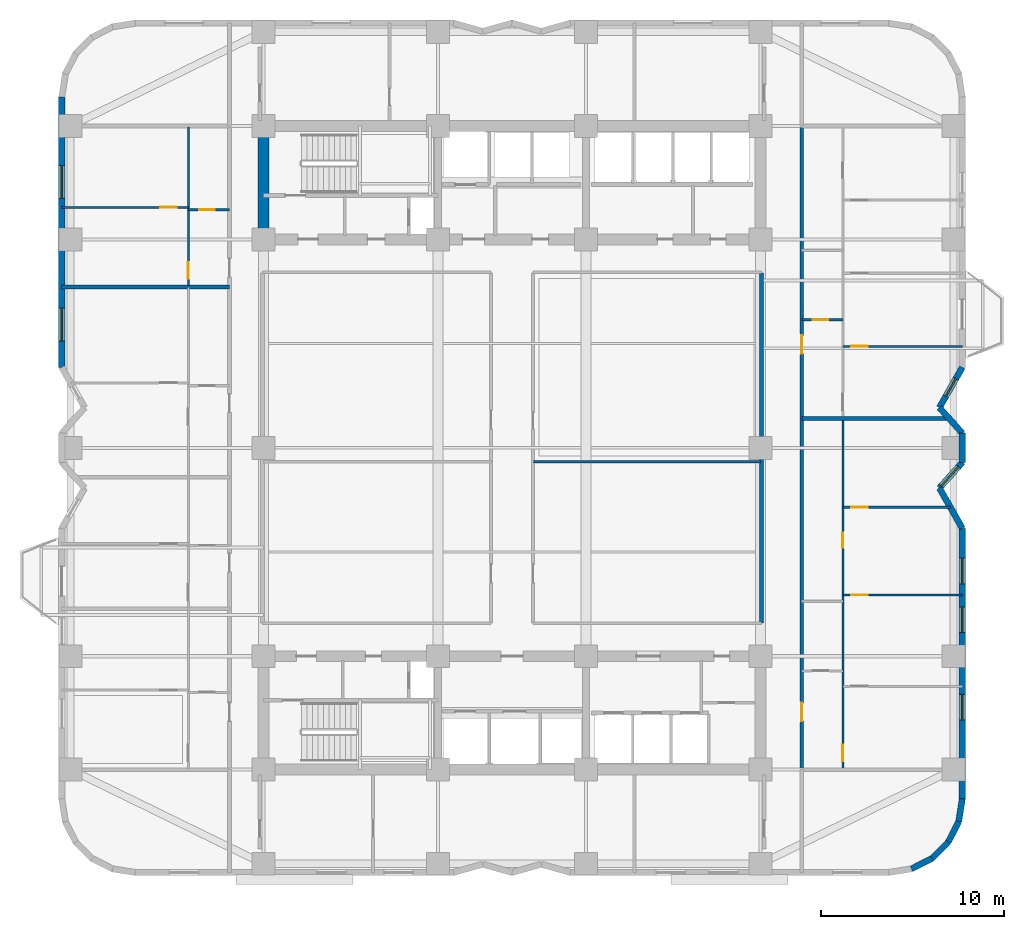
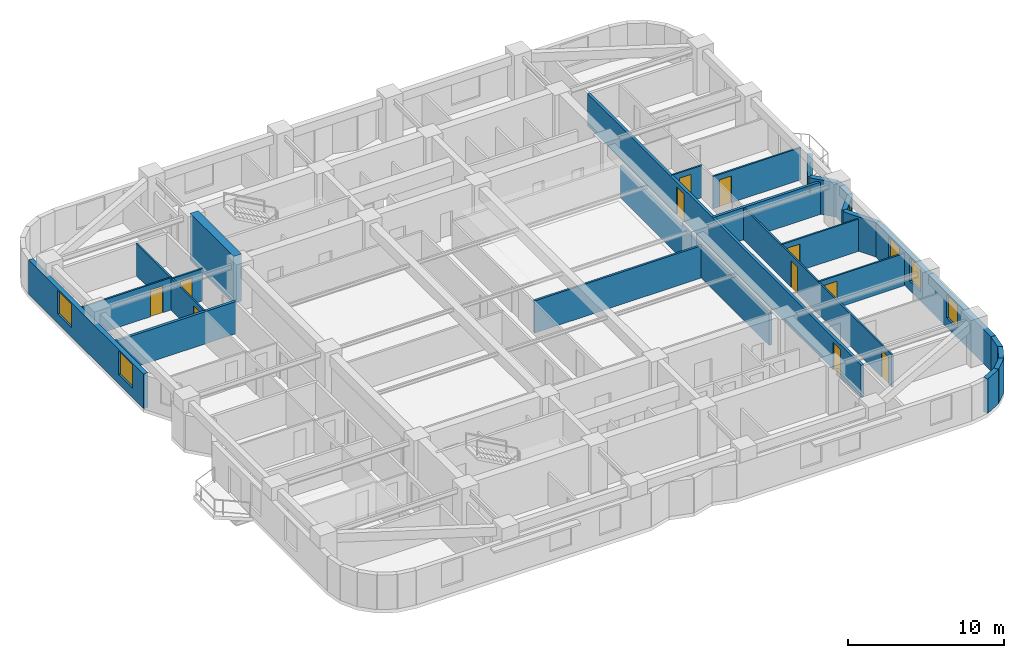
# One storey, part 5 of 9: 25 walls, 11 doors, 7 windows, 18 openings.
"""IFC4 building model written with IfcOpenShell, lengths in metres."""

from ifc_helpers import new_model, si_unit, direction, frame, frame_2d, origin, place, context, subcontext, project, spatial, rectangle, extrude, material, layer, layer_set, type_object, element, fill, save


model = new_model("IFC4")

# Units and contexts
model_context = context("Model", 3, precision=1e-05, world=origin(), true_north=direction((0.0, 1.0)))
body_context = subcontext(model_context, "Body", "Model", "MODEL_VIEW")
ifc_project = project(units=[si_unit("LENGTHUNIT", "METRE"), si_unit("AREAUNIT", "SQUARE_METRE"), si_unit("VOLUMEUNIT", "CUBIC_METRE"), si_unit("PLANEANGLEUNIT", "RADIAN"), si_unit("MASSUNIT", "GRAM", prefix="KILO")], contexts=[model_context])

# Site, building, storey
site_placement = place(None, origin())
site = spatial("IfcSite", under=ifc_project, at=site_placement, CompositionType="ELEMENT")
building_placement = place(site_placement, origin())
building = spatial("IfcBuilding", under=site, at=building_placement, Name="Svetorya Sky Lyceum", CompositionType="ELEMENT")
storey_placement = place(building_placement, frame((0.0, 0.0, 47.300048828125)))
storey = spatial("IfcBuildingStorey", under=building, at=storey_placement, Name="L11", CompositionType="ELEMENT", Elevation=47.300048828125)

# Walls
ifc_material_1 = material(Name="Concrete C60/75", Category="concrete")
ifc_layer_1 = layer(ifc_material_1, 0.60009765625)
ifc_layer_set_1 = layer_set([ifc_layer_1], Name="Concrete C60/75")
wall_type_1 = type_object("IfcWallType", Name="WL-CORE-600", PredefinedType="SHEAR", material=ifc_layer_set_1)
wall_1_placement = place(storey_placement, frame((25.60009765625, 39.89990234375, 0.0), z_axis=(0.0, 0.0, 1.0), x_axis=(0.0, 1.0, 0.0)))
element("IfcWall", 1, at=wall_1_placement, inside=storey, type_object=wall_type_1, Name="L11 NC West Core Shear Wall", PredefinedType="SHEAR", context=body_context, shape_type="SweptSolid", body=[
    extrude(rectangle(XDim=5.60009765625, YDim=0.60009765625, at=frame_2d((2.800048828125, 0.0))), origin(), (0.0, 0.0, 1.0), 3.699951171875),
])
ifc_material_2 = material(Name="Putilovo limestone rainscreen on autoclaved cellular masonry", Category="masonry")
ifc_layer_2 = layer(ifc_material_2, 0.340087890625)
ifc_layer_set_2 = layer_set([ifc_layer_2], Name="Putilovo limestone rainscreen on autoclaved cellular masonry")
wall_type_2 = type_object("IfcWallType", Name="WL-EXT-340", PredefinedType="SOLIDWALL", material=ifc_layer_set_2)
for number, where, z_axis, x_axis, name in (
    (2, (61.04541015625, 5.167236328125, 0.0), (0.0, 0.0, 1.0), (0.890953769915, 0.454094020963, 0.0), "L11 Limestone Exterior Wall 13M"),
    (3, (62.168701171875, 5.73974609375, 0.0), (0.0, 0.0, 1.0), (0.707203598708, 0.707009950407, 0.0), "L11 Limestone Exterior Wall 14M"),
):
    element("IfcWall", number, at=place(storey_placement, frame(where, z_axis=z_axis, x_axis=x_axis)), inside=storey, type_object=wall_type_2, Name=name, PredefinedType="SOLIDWALL", context=body_context, shape_type="SweptSolid", body=[
        extrude(rectangle(XDim=1.2607421875, YDim=0.340087890625, at=frame_2d((0.63037109375, 0.0))), origin(), (0.0, 0.0, 1.0), 2.699951171875),
    ])
for number, where, z_axis, x_axis, name in (
    (4, (63.060302734375, 6.631103515625, 0.0), (0.0, 0.0, 1.0), (0.454015689056, 0.890993689142, 0.0), "L11 Limestone Exterior Wall 15M"),
    (5, (63.6328125, 7.754638671875, 0.0), (0.0, 0.0, 1.0), (0.15644975923, 0.987685918112, 0.0), "L11 Limestone Exterior Wall 16M"),
):
    element("IfcWall", number, at=place(storey_placement, frame(where, z_axis=z_axis, x_axis=x_axis)), inside=storey, type_object=wall_type_2, Name=name, PredefinedType="SOLIDWALL", context=body_context, shape_type="SweptSolid", body=[
        extrude(rectangle(XDim=1.260986328125, YDim=0.340087890625, at=frame_2d((0.63037109375, 0.0))), origin(), (0.0, 0.0, 1.0), 2.699951171875),
    ])

# Wall, openings, windows
wall_2_placement = place(storey_placement, frame((63.830078125, 9.0, 0.0), z_axis=(0.0, 0.0, 1.0), x_axis=(0.0, 1.0, 0.0)))
wall_2 = element("IfcWall", 6, at=wall_2_placement, inside=storey, type_object=wall_type_2, Name="L11 Limestone Exterior Wall 17M", PredefinedType="SOLIDWALL", context=body_context, shape_type="SweptSolid", body=[
    extrude(rectangle(XDim=14.800048828125, YDim=0.340087890625, at=frame_2d((7.39990234375, 0.0))), origin(), (0.0, 0.0, 1.0), 2.699951171875),
])
opening_1_placement = place(wall_2_placement, frame((4.3125, 0.0, 0.72998046875)))
opening_1 = element("IfcOpeningElement", 7, at=opening_1_placement, cuts=wall_2, Name="Opening W-R2", PredefinedType="OPENING", context=body_context, shape_type="SweptSolid", body=[
    extrude(rectangle(XDim=1.39990234375, YDim=1.85009765625, at=frame_2d((0.699951171875, 0.925048828125))), frame((0.0, 0.179931640625, 0.0), z_axis=(0.0, -1.0, 0.0), x_axis=(1.0, 0.0, 0.0)), (0.0, 0.0, 1.0), 0.360107421875),
])
opening_2_placement = place(wall_2_placement, frame((9.08740234375, 0.0, 0.72998046875)))
opening_2 = element("IfcOpeningElement", 8, at=opening_2_placement, cuts=wall_2, Name="Opening W-R2", PredefinedType="OPENING", context=body_context, shape_type="SweptSolid", body=[
    extrude(rectangle(XDim=1.39990234375, YDim=1.85009765625, at=frame_2d((0.699951171875, 0.925048828125))), frame((0.0, 0.179931640625, 0.0), z_axis=(0.0, -1.0, 0.0), x_axis=(1.0, 0.0, 0.0)), (0.0, 0.0, 1.0), 0.360107421875),
])
opening_3_placement = place(wall_2_placement, frame((11.762451171875, 0.0, 0.72998046875)))
opening_3 = element("IfcOpeningElement", 9, at=opening_3_placement, cuts=wall_2, Name="Opening W-R2", PredefinedType="OPENING", context=body_context, shape_type="SweptSolid", body=[
    extrude(rectangle(XDim=1.39990234375, YDim=1.85009765625, at=frame_2d((0.699951171875, 0.925048828125))), frame((0.0, 0.179931640625, 0.0), z_axis=(0.0, -1.0, 0.0), x_axis=(1.0, 0.0, 0.0)), (0.0, 0.0, 1.0), 0.360107421875),
])
ifc_material_3 = material(Name="Thermally broken aluminium frame with triple low-E glazing", Category="aluminium")
window_type_1 = type_object("IfcWindowType", Name="WN-RES-140", PartitioningType="SINGLE_PANEL", PredefinedType="WINDOW", material=ifc_material_3)
window_1_placement = place(opening_1_placement, origin())
window_1 = element("IfcWindow", 10, at=window_1_placement, inside=storey, type_object=window_type_1, Name="L11 Facade Window W-R2.17M.1", OverallHeight=1.85009765625, OverallWidth=1.39990234375, PartitioningType="SINGLE_PANEL", PredefinedType="WINDOW", context=body_context, shape_type="SweptSolid", body=[
    extrude(rectangle(XDim=1.39990234375, YDim=1.85009765625, at=frame_2d((0.699951171875, 0.925048828125))), frame((0.0, 0.030029296875, 0.0), z_axis=(0.0, -1.0, 0.0), x_axis=(1.0, 0.0, 0.0)), (0.0, 0.0, 1.0), 0.06005859375),
])
fill(opening_1, window_1)
window_2_placement = place(opening_2_placement, origin())
window_2 = element("IfcWindow", 11, at=window_2_placement, inside=storey, type_object=window_type_1, Name="L11 Facade Window W-R2.17M.2", OverallHeight=1.85009765625, OverallWidth=1.39990234375, PartitioningType="SINGLE_PANEL", PredefinedType="WINDOW", context=body_context, shape_type="SweptSolid", body=[
    extrude(rectangle(XDim=1.39990234375, YDim=1.85009765625, at=frame_2d((0.699951171875, 0.925048828125))), frame((0.0, 0.030029296875, 0.0), z_axis=(0.0, -1.0, 0.0), x_axis=(1.0, 0.0, 0.0)), (0.0, 0.0, 1.0), 0.06005859375),
])
fill(opening_2, window_2)
window_3_placement = place(opening_3_placement, origin())
window_3 = element("IfcWindow", 12, at=window_3_placement, inside=storey, type_object=window_type_1, Name="L11 Facade Window W-R2.17M.3", OverallHeight=1.85009765625, OverallWidth=1.39990234375, PartitioningType="SINGLE_PANEL", PredefinedType="WINDOW", context=body_context, shape_type="SweptSolid", body=[
    extrude(rectangle(XDim=1.39990234375, YDim=1.85009765625, at=frame_2d((0.699951171875, 0.925048828125))), frame((0.0, 0.030029296875, 0.0), z_axis=(0.0, -1.0, 0.0), x_axis=(1.0, 0.0, 0.0)), (0.0, 0.0, 1.0), 0.06005859375),
])
fill(opening_3, window_3)

# Wall
wall_3_placement = place(storey_placement, frame((63.830078125, 23.800048828125, 0.0), z_axis=(0.0, 0.0, 1.0), x_axis=(-0.494017696272, 0.869451847873, 0.0)))
element("IfcWall", 13, at=wall_3_placement, inside=storey, type_object=wall_type_2, Name="L11 Limestone Exterior Wall 18M", PredefinedType="SOLIDWALL", context=body_context, shape_type="SweptSolid", body=[
    extrude(rectangle(XDim=2.5302734375, YDim=0.340087890625, at=frame_2d((1.26513671875, 0.0))), origin(), (0.0, 0.0, 1.0), 2.699951171875),
])

# Wall, opening, window
wall_4_placement = place(storey_placement, frame((62.580078125, 26.0, 0.0), z_axis=(0.0, 0.0, 1.0), x_axis=(0.666041619974, 0.74591457987, 0.0)))
wall_4 = element("IfcWall", 14, at=wall_4_placement, inside=storey, type_object=wall_type_2, Name="L11 Limestone Exterior Wall 19M", PredefinedType="SOLIDWALL", context=body_context, shape_type="SweptSolid", body=[
    extrude(rectangle(XDim=1.876708984375, YDim=0.340087890625, at=frame_2d((0.9384765625, 0.0))), origin(), (0.0, 0.0, 1.0), 2.699951171875),
])
opening_4_placement = place(wall_4_placement, frame((0.159912109375, 0.0, 0.68994140625)))
opening_4 = element("IfcOpeningElement", 15, at=opening_4_placement, cuts=wall_4, Name="Opening W-R2", PredefinedType="OPENING", context=body_context, shape_type="SweptSolid", body=[
    extrude(rectangle(XDim=1.39990234375, YDim=1.85009765625, at=frame_2d((0.699951171875, 0.925048828125))), frame((0.0, 0.179931640625, 0.0), z_axis=(0.0, -1.0, 0.0), x_axis=(1.0, 0.0, 0.0)), (0.0, 0.0, 1.0), 0.360107421875),
])
window_4_placement = place(opening_4_placement, origin())
window_4 = element("IfcWindow", 16, at=window_4_placement, inside=storey, type_object=window_type_1, Name="L11 Facade Window W-R2.19M.1", OverallHeight=1.85009765625, OverallWidth=1.39990234375, PartitioningType="SINGLE_PANEL", PredefinedType="WINDOW", context=body_context, shape_type="SweptSolid", body=[
    extrude(rectangle(XDim=1.39990234375, YDim=1.85009765625, at=frame_2d((0.699951171875, 0.925048828125))), frame((0.0, 0.030029296875, 0.0), z_axis=(0.0, -1.0, 0.0), x_axis=(1.0, 0.0, 0.0)), (0.0, 0.0, 1.0), 0.06005859375),
])
fill(opening_4, window_4)

# Walls
wall_5_placement = place(storey_placement, frame((63.830078125, 27.39990234375, 0.0), z_axis=(0.0, 0.0, 1.0), x_axis=(0.0, 1.0, 0.0)))
element("IfcWall", 17, at=wall_5_placement, inside=storey, type_object=wall_type_2, Name="L11 Limestone Exterior Wall 20M", PredefinedType="SOLIDWALL", context=body_context, shape_type="SweptSolid", body=[
    extrude(rectangle(XDim=1.60009765625, YDim=0.340087890625, at=frame_2d((0.800048828125, 0.0))), origin(), (0.0, 0.0, 1.0), 2.699951171875),
])
wall_6_placement = place(storey_placement, frame((63.830078125, 29.0, 0.0), z_axis=(0.0, 0.0, 1.0), x_axis=(-0.666041619974, 0.74591457987, 0.0)))
element("IfcWall", 18, at=wall_6_placement, inside=storey, type_object=wall_type_2, Name="L11 Limestone Exterior Wall 21M", PredefinedType="SOLIDWALL", context=body_context, shape_type="SweptSolid", body=[
    extrude(rectangle(XDim=1.876708984375, YDim=0.340087890625, at=frame_2d((0.9384765625, 0.0))), origin(), (0.0, 0.0, 1.0), 2.699951171875),
])

# Wall, opening, window
wall_7_placement = place(storey_placement, frame((62.580078125, 30.39990234375, 0.0), z_axis=(0.0, 0.0, 1.0), x_axis=(0.493976255291, 0.869475393101, 0.0)))
wall_7 = element("IfcWall", 19, at=wall_7_placement, inside=storey, type_object=wall_type_2, Name="L11 Limestone Exterior Wall 22M", PredefinedType="SOLIDWALL", context=body_context, shape_type="SweptSolid", body=[
    extrude(rectangle(XDim=2.530517578125, YDim=0.340087890625, at=frame_2d((1.26513671875, 0.0))), origin(), (0.0, 0.0, 1.0), 2.699951171875),
])
opening_5_placement = place(wall_7_placement, frame((0.715087890625, 0.0, 0.889892578125)))
opening_5 = element("IfcOpeningElement", 20, at=opening_5_placement, cuts=wall_7, Name="Opening W-R3", PredefinedType="OPENING", context=body_context, shape_type="SweptSolid", body=[
    extrude(rectangle(XDim=1.10009765625, YDim=1.64990234375, at=frame_2d((0.550048828125, 0.824951171875))), frame((0.0, 0.179931640625, 0.0), z_axis=(0.0, -1.0, 0.0), x_axis=(1.0, 0.0, 0.0)), (0.0, 0.0, 1.0), 0.360107421875),
])
window_type_2 = type_object("IfcWindowType", Name="WN-RES-110", PartitioningType="SINGLE_PANEL", PredefinedType="WINDOW", material=ifc_material_3)
window_5_placement = place(opening_5_placement, origin())
window_5 = element("IfcWindow", 21, at=window_5_placement, inside=storey, type_object=window_type_2, Name="L11 Facade Window W-R3.22M.1", OverallHeight=1.64990234375, OverallWidth=1.10009765625, PartitioningType="SINGLE_PANEL", PredefinedType="WINDOW", context=body_context, shape_type="SweptSolid", body=[
    extrude(rectangle(XDim=1.10009765625, YDim=1.64990234375, at=frame_2d((0.550048828125, 0.824951171875))), frame((0.0, 0.030029296875, 0.0), z_axis=(0.0, -1.0, 0.0), x_axis=(1.0, 0.0, 0.0)), (0.0, 0.0, 1.0), 0.06005859375),
])
fill(opening_5, window_5)

# Wall, openings, windows
wall_8_placement = place(storey_placement, frame((14.570068359375, 47.39990234375, 0.0), z_axis=(0.0, 0.0, 1.0), x_axis=(0.0, -1.0, 0.0)))
wall_8 = element("IfcWall", 22, at=wall_8_placement, inside=storey, type_object=wall_type_2, Name="L11 Limestone Exterior Wall 40M", PredefinedType="SOLIDWALL", context=body_context, shape_type="SweptSolid", body=[
    extrude(rectangle(XDim=14.7998046875, YDim=0.340087890625, at=frame_2d((7.39990234375, 0.0))), origin(), (0.0, 0.0, 1.0), 2.699951171875),
])
opening_6_placement = place(wall_8_placement, frame((3.762451171875, 0.0, 0.72998046875)))
opening_6 = element("IfcOpeningElement", 23, at=opening_6_placement, cuts=wall_8, Name="Opening W-R1", PredefinedType="OPENING", context=body_context, shape_type="SweptSolid", body=[
    extrude(rectangle(XDim=1.800048828125, YDim=1.85009765625, at=frame_2d((0.89990234375, 0.925048828125))), frame((0.0, 0.179931640625, 0.0), z_axis=(0.0, -1.0, 0.0), x_axis=(1.0, 0.0, 0.0)), (0.0, 0.0, 1.0), 0.360107421875),
])
opening_7_placement = place(wall_8_placement, frame((11.5625, 0.0, 0.72998046875)))
opening_7 = element("IfcOpeningElement", 24, at=opening_7_placement, cuts=wall_8, Name="Opening W-R1", PredefinedType="OPENING", context=body_context, shape_type="SweptSolid", body=[
    extrude(rectangle(XDim=1.800048828125, YDim=1.85009765625, at=frame_2d((0.89990234375, 0.925048828125))), frame((0.0, 0.179931640625, 0.0), z_axis=(0.0, -1.0, 0.0), x_axis=(1.0, 0.0, 0.0)), (0.0, 0.0, 1.0), 0.360107421875),
])
window_type_3 = type_object("IfcWindowType", Name="WN-RES-180", PartitioningType="DOUBLE_PANEL_VERTICAL", PredefinedType="WINDOW", material=ifc_material_3)
window_6_placement = place(opening_6_placement, origin())
window_6 = element("IfcWindow", 25, at=window_6_placement, inside=storey, type_object=window_type_3, Name="L11 Facade Window W-R1.40M.1", OverallHeight=1.85009765625, OverallWidth=1.800048828125, PartitioningType="SINGLE_PANEL", PredefinedType="WINDOW", context=body_context, shape_type="SweptSolid", body=[
    extrude(rectangle(XDim=1.800048828125, YDim=1.85009765625, at=frame_2d((0.89990234375, 0.925048828125))), frame((0.0, 0.030029296875, 0.0), z_axis=(0.0, -1.0, 0.0), x_axis=(1.0, 0.0, 0.0)), (0.0, 0.0, 1.0), 0.06005859375),
])
fill(opening_6, window_6)
window_7_placement = place(opening_7_placement, origin())
window_7 = element("IfcWindow", 26, at=window_7_placement, inside=storey, type_object=window_type_3, Name="L11 Facade Window W-R1.40M.2", OverallHeight=1.85009765625, OverallWidth=1.800048828125, PartitioningType="SINGLE_PANEL", PredefinedType="WINDOW", context=body_context, shape_type="SweptSolid", body=[
    extrude(rectangle(XDim=1.800048828125, YDim=1.85009765625, at=frame_2d((0.89990234375, 0.925048828125))), frame((0.0, 0.030029296875, 0.0), z_axis=(0.0, -1.0, 0.0), x_axis=(1.0, 0.0, 0.0)), (0.0, 0.0, 1.0), 0.06005859375),
])
fill(opening_7, window_7)

# Wall, opening, door
ifc_material_4 = material(Name="Twin-stud galvanized framing with double fireboard", Category="gypsum")
ifc_layer_3 = layer(ifc_material_4, 0.1201171875)
ifc_layer_set_3 = layer_set([ifc_layer_3], Name="Twin-stud galvanized framing with double fireboard")
wall_type_3 = type_object("IfcWallType", Name="WL-PART-120", PredefinedType="PARTITIONING", material=ifc_layer_set_3)
wall_9_placement = place(storey_placement, frame((21.5, 41.219970703125, 0.0), z_axis=(0.0, 0.0, 1.0), x_axis=(1.0, 0.0, 0.0)))
wall_9 = element("IfcWall", 27, at=wall_9_placement, inside=storey, type_object=wall_type_3, Name="L11 Interior Partition W4-WH1", PredefinedType="PARTITIONING", context=body_context, shape_type="SweptSolid", body=[
    extrude(rectangle(XDim=2.25, YDim=0.1201171875, at=frame_2d((1.125, 0.0))), origin(), (0.0, 0.0, 1.0), 2.530029296875),
])
opening_8_placement = place(wall_9_placement, frame((0.60009765625, 0.0, 0.0)))
opening_8 = element("IfcOpeningElement", 28, at=opening_8_placement, cuts=wall_9, Name="Opening D-BT1", PredefinedType="OPENING", context=body_context, shape_type="SweptSolid", body=[
    extrude(rectangle(XDim=0.85009765625, YDim=2.10009765625, at=frame_2d((0.425048828125, 1.050048828125))), frame((0.0, 0.070068359375, 0.0), z_axis=(0.0, -1.0, 0.0), x_axis=(1.0, 0.0, 0.0)), (0.0, 0.0, 1.0), 0.14013671875),
])
ifc_material_5 = material(Name="Moisture-resistant laminate bathroom door")
door_type_1 = type_object("IfcDoorType", Name="DR-WET-850", OperationType="SINGLE_SWING_LEFT", PredefinedType="DOOR", material=ifc_material_5)
door_1_placement = place(opening_8_placement, origin())
door_1 = element("IfcDoor", 29, at=door_1_placement, inside=storey, type_object=door_type_1, Name="Apartment W4 Bathroom Door", OperationType="SINGLE_SWING_RIGHT", OverallHeight=2.10009765625, OverallWidth=0.85009765625, PredefinedType="DOOR", context=body_context, shape_type="SweptSolid", body=[
    extrude(rectangle(XDim=0.85009765625, YDim=2.10009765625, at=frame_2d((0.425048828125, 1.050048828125))), frame((0.0, 0.02490234375, 0.0), z_axis=(0.0, -1.0, 0.0), x_axis=(1.0, 0.0, 0.0)), (0.0, 0.0, 1.0), 0.050048828125),
])
fill(opening_8, door_1)

wall_10_placement = place(storey_placement, frame((14.570068359375, 41.35009765625, 0.0), z_axis=(0.0, 0.0, 1.0), x_axis=(1.0, 0.0, 0.0)))
wall_10 = element("IfcWall", 30, at=wall_10_placement, inside=storey, type_object=wall_type_3, Name="L11 Interior Partition W4-WL1", PredefinedType="PARTITIONING", context=body_context, shape_type="SweptSolid", body=[
    extrude(rectangle(XDim=6.929931640625, YDim=0.1201171875, at=frame_2d((3.46484375, 0.0))), origin(), (0.0, 0.0, 1.0), 2.530029296875),
])
opening_9_placement = place(wall_10_placement, frame((5.3798828125, 0.0, 0.0)))
opening_9 = element("IfcOpeningElement", 31, at=opening_9_placement, cuts=wall_10, Name="Opening D-RM1", PredefinedType="OPENING", context=body_context, shape_type="SweptSolid", body=[
    extrude(rectangle(XDim=0.89990234375, YDim=2.10009765625, at=frame_2d((0.449951171875, 1.050048828125))), frame((0.0, 0.070068359375, 0.0), z_axis=(0.0, -1.0, 0.0), x_axis=(1.0, 0.0, 0.0)), (0.0, 0.0, 1.0), 0.14013671875),
])
ifc_material_6 = material(Name="Lacquered birch veneer internal door")
door_type_2 = type_object("IfcDoorType", Name="DR-INT-900", OperationType="SINGLE_SWING_LEFT", PredefinedType="DOOR", material=ifc_material_6)
door_2_placement = place(opening_9_placement, origin())
door_2 = element("IfcDoor", 32, at=door_2_placement, inside=storey, type_object=door_type_2, Name="Apartment W4 Bedroom 1 Door", OperationType="SINGLE_SWING_RIGHT", OverallHeight=2.10009765625, OverallWidth=0.89990234375, PredefinedType="DOOR", context=body_context, shape_type="SweptSolid", body=[
    extrude(rectangle(XDim=0.89990234375, YDim=2.10009765625, at=frame_2d((0.449951171875, 1.050048828125))), frame((0.0, 0.02490234375, 0.0), z_axis=(0.0, -1.0, 0.0), x_axis=(1.0, 0.0, 0.0)), (0.0, 0.0, 1.0), 0.050048828125),
])
fill(opening_9, door_2)

wall_11_placement = place(storey_placement, frame((21.5, 37.0400390625, 0.0), z_axis=(0.0, 0.0, 1.0), x_axis=(0.0, 1.0, 0.0)))
wall_11 = element("IfcWall", 33, at=wall_11_placement, inside=storey, type_object=wall_type_3, Name="L11 Interior Partition W4-WV", PredefinedType="PARTITIONING", context=body_context, shape_type="SweptSolid", body=[
    extrude(rectangle(XDim=8.719970703125, YDim=0.1201171875, at=frame_2d((4.35986328125, 0.0))), origin(), (0.0, 0.0, 1.0), 2.530029296875),
])
opening_10_placement = place(wall_11_placement, frame((0.409912109375, 0.0, 0.0)))
opening_10 = element("IfcOpeningElement", 34, at=opening_10_placement, cuts=wall_11, Name="Opening D-RM1", PredefinedType="OPENING", context=body_context, shape_type="SweptSolid", body=[
    extrude(rectangle(XDim=0.89990234375, YDim=2.10009765625, at=frame_2d((0.449951171875, 1.050048828125))), frame((0.0, 0.070068359375, 0.0), z_axis=(0.0, -1.0, 0.0), x_axis=(1.0, 0.0, 0.0)), (0.0, 0.0, 1.0), 0.14013671875),
])
door_3_placement = place(opening_10_placement, origin())
door_3 = element("IfcDoor", 35, at=door_3_placement, inside=storey, type_object=door_type_2, Name="Apartment W4 Living Door", OperationType="SINGLE_SWING_LEFT", OverallHeight=2.10009765625, OverallWidth=0.89990234375, PredefinedType="DOOR", context=body_context, shape_type="SweptSolid", body=[
    extrude(rectangle(XDim=0.89990234375, YDim=2.10009765625, at=frame_2d((0.449951171875, 1.050048828125))), frame((0.0, 0.02490234375, 0.0), z_axis=(0.0, -1.0, 0.0), x_axis=(1.0, 0.0, 0.0)), (0.0, 0.0, 1.0), 0.050048828125),
])
fill(opening_10, door_3)

wall_12_placement = place(storey_placement, frame((57.300048828125, 20.14990234375, 0.0), z_axis=(0.0, 0.0, 1.0), x_axis=(1.0, 0.0, 0.0)))
wall_12 = element("IfcWall", 36, at=wall_12_placement, inside=storey, type_object=wall_type_3, Name="L11 Interior Partition E1-WL2", PredefinedType="PARTITIONING", context=body_context, shape_type="SweptSolid", body=[
    extrude(rectangle(XDim=6.530029296875, YDim=0.1201171875, at=frame_2d((3.26513671875, 0.0))), origin(), (0.0, 0.0, 1.0), 2.530029296875),
])
opening_11_placement = place(wall_12_placement, frame((0.449951171875, 0.0, 0.0)))
opening_11 = element("IfcOpeningElement", 37, at=opening_11_placement, cuts=wall_12, Name="Opening D-RM1", PredefinedType="OPENING", context=body_context, shape_type="SweptSolid", body=[
    extrude(rectangle(XDim=0.89990234375, YDim=2.10009765625, at=frame_2d((0.449951171875, 1.050048828125))), frame((0.0, 0.070068359375, 0.0), z_axis=(0.0, -1.0, 0.0), x_axis=(1.0, 0.0, 0.0)), (0.0, 0.0, 1.0), 0.14013671875),
])
door_4_placement = place(opening_11_placement, origin())
door_4 = element("IfcDoor", 38, at=door_4_placement, inside=storey, type_object=door_type_2, Name="Apartment E1 Bedroom 2 Door", OperationType="SINGLE_SWING_LEFT", OverallHeight=2.10009765625, OverallWidth=0.89990234375, PredefinedType="DOOR", context=body_context, shape_type="SweptSolid", body=[
    extrude(rectangle(XDim=0.89990234375, YDim=2.10009765625, at=frame_2d((0.449951171875, 1.050048828125))), frame((0.0, 0.02490234375, 0.0), z_axis=(0.0, -1.0, 0.0), x_axis=(1.0, 0.0, 0.0)), (0.0, 0.0, 1.0), 0.050048828125),
])
fill(opening_11, door_4)

wall_13_placement = place(storey_placement, frame((57.300048828125, 24.949951171875, 0.0), z_axis=(0.0, 0.0, 1.0), x_axis=(1.0, 0.0, 0.0)))
wall_13 = element("IfcWall", 39, at=wall_13_placement, inside=storey, type_object=wall_type_3, Name="L11 Interior Partition E1-WL3", PredefinedType="PARTITIONING", context=body_context, shape_type="SweptSolid", body=[
    extrude(rectangle(XDim=5.87646484375, YDim=0.1201171875, at=frame_2d((2.938232421875, 0.0))), origin(), (0.0, 0.0, 1.0), 2.530029296875),
])
opening_12_placement = place(wall_13_placement, frame((0.449951171875, 0.0, 0.0)))
opening_12 = element("IfcOpeningElement", 40, at=opening_12_placement, cuts=wall_13, Name="Opening D-RM1", PredefinedType="OPENING", context=body_context, shape_type="SweptSolid", body=[
    extrude(rectangle(XDim=0.89990234375, YDim=2.10009765625, at=frame_2d((0.449951171875, 1.050048828125))), frame((0.0, 0.070068359375, 0.0), z_axis=(0.0, -1.0, 0.0), x_axis=(1.0, 0.0, 0.0)), (0.0, 0.0, 1.0), 0.14013671875),
])
door_5_placement = place(opening_12_placement, origin())
door_5 = element("IfcDoor", 41, at=door_5_placement, inside=storey, type_object=door_type_2, Name="Apartment E1 Bedroom 3 Door", OperationType="SINGLE_SWING_RIGHT", OverallHeight=2.10009765625, OverallWidth=0.89990234375, PredefinedType="DOOR", context=body_context, shape_type="SweptSolid", body=[
    extrude(rectangle(XDim=0.89990234375, YDim=2.10009765625, at=frame_2d((0.449951171875, 1.050048828125))), frame((0.0, 0.02490234375, 0.0), z_axis=(0.0, -1.0, 0.0), x_axis=(1.0, 0.0, 0.0)), (0.0, 0.0, 1.0), 0.050048828125),
])
fill(opening_12, door_5)

# Wall, openings, doors
wall_14_placement = place(storey_placement, frame((57.300048828125, 10.639892578125, 0.0), z_axis=(0.0, 0.0, 1.0), x_axis=(0.0, 1.0, 0.0)))
wall_14 = element("IfcWall", 42, at=wall_14_placement, inside=storey, type_object=wall_type_3, Name="L11 Interior Partition E1-WV", PredefinedType="PARTITIONING", context=body_context, shape_type="SweptSolid", body=[
    extrude(rectangle(XDim=19.1201171875, YDim=0.1201171875, at=frame_2d((9.56005859375, 0.0))), origin(), (0.0, 0.0, 1.0), 2.530029296875),
])
opening_13_placement = place(wall_14_placement, frame((0.409912109375, 0.0, 0.0)))
opening_13 = element("IfcOpeningElement", 43, at=opening_13_placement, cuts=wall_14, Name="Opening D-RM1", PredefinedType="OPENING", context=body_context, shape_type="SweptSolid", body=[
    extrude(rectangle(XDim=0.89990234375, YDim=2.10009765625, at=frame_2d((0.449951171875, 1.050048828125))), frame((0.0, 0.070068359375, 0.0), z_axis=(0.0, -1.0, 0.0), x_axis=(1.0, 0.0, 0.0)), (0.0, 0.0, 1.0), 0.14013671875),
])
opening_14_placement = place(wall_14_placement, frame((12.10498046875, 0.0, 0.0)))
opening_14 = element("IfcOpeningElement", 44, at=opening_14_placement, cuts=wall_14, Name="Opening D-BT2", PredefinedType="OPENING", context=body_context, shape_type="SweptSolid", body=[
    extrude(rectangle(XDim=0.820068359375, YDim=2.080078125, at=frame_2d((0.41015625, 1.0400390625))), frame((0.0, 0.070068359375, 0.0), z_axis=(0.0, -1.0, 0.0), x_axis=(1.0, 0.0, 0.0)), (0.0, 0.0, 1.0), 0.14013671875),
])
door_6_placement = place(opening_13_placement, origin())
door_6 = element("IfcDoor", 45, at=door_6_placement, inside=storey, type_object=door_type_2, Name="Apartment E1 Living Door", OperationType="SINGLE_SWING_LEFT", OverallHeight=2.10009765625, OverallWidth=0.89990234375, PredefinedType="DOOR", context=body_context, shape_type="SweptSolid", body=[
    extrude(rectangle(XDim=0.89990234375, YDim=2.10009765625, at=frame_2d((0.449951171875, 1.050048828125))), frame((0.0, 0.02490234375, 0.0), z_axis=(0.0, -1.0, 0.0), x_axis=(1.0, 0.0, 0.0)), (0.0, 0.0, 1.0), 0.050048828125),
])
fill(opening_13, door_6)
ifc_material_7 = material(Name="Compact moisture-resistant laminate closet door")
door_type_3 = type_object("IfcDoorType", Name="DR-WET-820", OperationType="SINGLE_SWING_LEFT", PredefinedType="DOOR", material=ifc_material_7)
door_7_placement = place(opening_14_placement, origin())
door_7 = element("IfcDoor", 46, at=door_7_placement, inside=storey, type_object=door_type_3, Name="Apartment E1 Study Door", OperationType="SINGLE_SWING_RIGHT", OverallHeight=2.080078125, OverallWidth=0.820068359375, PredefinedType="DOOR", context=body_context, shape_type="SweptSolid", body=[
    extrude(rectangle(XDim=0.820068359375, YDim=2.080078125, at=frame_2d((0.41015625, 1.0400390625))), frame((0.0, 0.02490234375, 0.0), z_axis=(0.0, -1.0, 0.0), x_axis=(1.0, 0.0, 0.0)), (0.0, 0.0, 1.0), 0.050048828125),
])
fill(opening_14, door_7)

# Wall, opening, door
wall_15_placement = place(storey_placement, frame((55.050048828125, 35.199951171875, 0.0), z_axis=(0.0, 0.0, 1.0), x_axis=(1.0, 0.0, 0.0)))
wall_15 = element("IfcWall", 47, at=wall_15_placement, inside=storey, type_object=wall_type_3, Name="L11 Interior Partition E2-WH1", PredefinedType="PARTITIONING", context=body_context, shape_type="SweptSolid", body=[
    extrude(rectangle(XDim=2.25, YDim=0.1201171875, at=frame_2d((1.125, 0.0))), origin(), (0.0, 0.0, 1.0), 2.530029296875),
])
opening_15_placement = place(wall_15_placement, frame((0.60009765625, 0.0, 0.0)))
opening_15 = element("IfcOpeningElement", 48, at=opening_15_placement, cuts=wall_15, Name="Opening D-BT1", PredefinedType="OPENING", context=body_context, shape_type="SweptSolid", body=[
    extrude(rectangle(XDim=0.85009765625, YDim=2.10009765625, at=frame_2d((0.425048828125, 1.050048828125))), frame((0.0, 0.070068359375, 0.0), z_axis=(0.0, -1.0, 0.0), x_axis=(1.0, 0.0, 0.0)), (0.0, 0.0, 1.0), 0.14013671875),
])
door_8_placement = place(opening_15_placement, origin())
door_8 = element("IfcDoor", 49, at=door_8_placement, inside=storey, type_object=door_type_1, Name="Apartment E2 Bathroom Door", OperationType="SINGLE_SWING_LEFT", OverallHeight=2.10009765625, OverallWidth=0.85009765625, PredefinedType="DOOR", context=body_context, shape_type="SweptSolid", body=[
    extrude(rectangle(XDim=0.85009765625, YDim=2.10009765625, at=frame_2d((0.425048828125, 1.050048828125))), frame((0.0, 0.02490234375, 0.0), z_axis=(0.0, -1.0, 0.0), x_axis=(1.0, 0.0, 0.0)), (0.0, 0.0, 1.0), 0.050048828125),
])
fill(opening_15, door_8)

wall_16_placement = place(storey_placement, frame((57.300048828125, 33.75, 0.0), z_axis=(0.0, 0.0, 1.0), x_axis=(1.0, 0.0, 0.0)))
wall_16 = element("IfcWall", 50, at=wall_16_placement, inside=storey, type_object=wall_type_3, Name="L11 Interior Partition E2-WL1", PredefinedType="PARTITIONING", context=body_context, shape_type="SweptSolid", body=[
    extrude(rectangle(XDim=6.530029296875, YDim=0.1201171875, at=frame_2d((3.26513671875, 0.0))), origin(), (0.0, 0.0, 1.0), 2.530029296875),
])
opening_16_placement = place(wall_16_placement, frame((0.449951171875, 0.0, 0.0)))
opening_16 = element("IfcOpeningElement", 51, at=opening_16_placement, cuts=wall_16, Name="Opening D-RM1", PredefinedType="OPENING", context=body_context, shape_type="SweptSolid", body=[
    extrude(rectangle(XDim=0.89990234375, YDim=2.10009765625, at=frame_2d((0.449951171875, 1.050048828125))), frame((0.0, 0.070068359375, 0.0), z_axis=(0.0, -1.0, 0.0), x_axis=(1.0, 0.0, 0.0)), (0.0, 0.0, 1.0), 0.14013671875),
])
door_9_placement = place(opening_16_placement, origin())
door_9 = element("IfcDoor", 52, at=door_9_placement, inside=storey, type_object=door_type_2, Name="Apartment E2 Master Bedroom Door", OperationType="SINGLE_SWING_LEFT", OverallHeight=2.10009765625, OverallWidth=0.89990234375, PredefinedType="DOOR", context=body_context, shape_type="SweptSolid", body=[
    extrude(rectangle(XDim=0.89990234375, YDim=2.10009765625, at=frame_2d((0.449951171875, 1.050048828125))), frame((0.0, 0.02490234375, 0.0), z_axis=(0.0, -1.0, 0.0), x_axis=(1.0, 0.0, 0.0)), (0.0, 0.0, 1.0), 0.050048828125),
])
fill(opening_16, door_9)

# Walls
ifc_material_8 = material(Name="Autoclaved cellular masonry blockwork with acoustic render", Category="masonry")
ifc_layer_4 = layer(ifc_material_8, 0.14990234375)
ifc_layer_set_4 = layer_set([ifc_layer_4], Name="Autoclaved cellular masonry blockwork with acoustic render")
wall_type_4 = type_object("IfcWallType", Name="WL-PART-150", PredefinedType="PARTITIONING", material=ifc_layer_set_4)
wall_17_placement = place(storey_placement, frame((40.3798828125, 27.434326171875, 0.0), z_axis=(0.0, 0.0, 1.0), x_axis=(1.0, 0.0, 0.0)))
element("IfcWall", 53, at=wall_17_placement, inside=storey, type_object=wall_type_4, Name="L11 Interior Partition CEN-HE", PredefinedType="PARTITIONING", context=body_context, shape_type="SweptSolid", body=[
    extrude(rectangle(XDim=12.420166015625, YDim=0.14990234375, at=frame_2d((6.2099609375, 0.0))), origin(), (0.0, 0.0, 1.0), 2.530029296875),
])
ifc_material_9 = material(Name="Autoclaved cellular masonry blockwork with gypsum plaster", Category="masonry")
ifc_layer_5 = layer(ifc_material_9, 0.199951171875)
ifc_layer_set_5 = layer_set([ifc_layer_5], Name="Autoclaved cellular masonry blockwork with gypsum plaster")
wall_type_5 = type_object("IfcWallType", Name="WL-PART-200", PredefinedType="PARTITIONING", material=ifc_layer_set_5)
wall_18_placement = place(storey_placement, frame((52.85009765625, 18.6298828125, 0.0), z_axis=(0.0, 0.0, 1.0), x_axis=(0.0, 1.0, 0.0)))
element("IfcWall", 54, at=wall_18_placement, inside=storey, type_object=wall_type_5, Name="L11 Interior Partition E-CEN-SEP", PredefinedType="PARTITIONING", context=body_context, shape_type="SweptSolid", body=[
    extrude(rectangle(XDim=19.14013671875, YDim=0.199951171875, at=frame_2d((9.570068359375, 0.0))), origin(), (0.0, 0.0, 1.0), 2.530029296875),
])
wall_19_placement = place(storey_placement, frame((14.570068359375, 37.0, 0.0), z_axis=(0.0, 0.0, 1.0), x_axis=(1.0, 0.0, 0.0)))
element("IfcWall", 55, at=wall_19_placement, inside=storey, type_object=wall_type_5, Name="L11 Interior Partition W-PARTY-3", PredefinedType="PARTITIONING", context=body_context, shape_type="SweptSolid", body=[
    extrude(rectangle(XDim=9.179931640625, YDim=0.199951171875, at=frame_2d((4.58984375, 0.0))), origin(), (0.0, 0.0, 1.0), 2.530029296875),
])
wall_20_placement = place(storey_placement, frame((55.050048828125, 29.800048828125, 0.0), z_axis=(0.0, 0.0, 1.0), x_axis=(1.0, 0.0, 0.0)))
element("IfcWall", 56, at=wall_20_placement, inside=storey, type_object=wall_type_5, Name="L11 Interior Partition E-PARTY-1", PredefinedType="PARTITIONING", context=body_context, shape_type="SweptSolid", body=[
    extrude(rectangle(XDim=8.065673828125, YDim=0.199951171875, at=frame_2d((4.03271484375, 0.0))), origin(), (0.0, 0.0, 1.0), 2.530029296875),
])

# Wall, openings, doors
wall_21_placement = place(storey_placement, frame((55.050048828125, 10.60009765625, 0.0), z_axis=(0.0, 0.0, 1.0), x_axis=(0.0, 1.0, 0.0)))
wall_21 = element("IfcWall", 57, at=wall_21_placement, inside=storey, type_object=wall_type_5, Name="L11 Interior Partition E-CORRW", PredefinedType="PARTITIONING", context=body_context, shape_type="SweptSolid", body=[
    extrude(rectangle(XDim=35.199951171875, YDim=0.199951171875, at=frame_2d((17.60009765625, 0.0))), origin(), (0.0, 0.0, 1.0), 2.530029296875),
])
opening_17_placement = place(wall_21_placement, frame((2.64990234375, 0.0, 0.0)))
opening_17 = element("IfcOpeningElement", 58, at=opening_17_placement, cuts=wall_21, Name="Opening D-APT1", PredefinedType="OPENING", context=body_context, shape_type="SweptSolid", body=[
    extrude(rectangle(XDim=1.0, YDim=2.14990234375, at=frame_2d((0.5, 1.074951171875))), frame((0.0, 0.10986328125, 0.0), z_axis=(0.0, -1.0, 0.0), x_axis=(1.0, 0.0, 0.0)), (0.0, 0.0, 1.0), 0.219970703125),
])
opening_18_placement = place(wall_21_placement, frame((22.75, 0.0, 0.0)))
opening_18 = element("IfcOpeningElement", 59, at=opening_18_placement, cuts=wall_21, Name="Opening D-APT1", PredefinedType="OPENING", context=body_context, shape_type="SweptSolid", body=[
    extrude(rectangle(XDim=1.0, YDim=2.14990234375, at=frame_2d((0.5, 1.074951171875))), frame((0.0, 0.10986328125, 0.0), z_axis=(0.0, -1.0, 0.0), x_axis=(1.0, 0.0, 0.0)), (0.0, 0.0, 1.0), 0.219970703125),
])
ifc_material_10 = material(Name="Insulated oak-veneered apartment entrance door")
door_type_4 = type_object("IfcDoorType", Name="DR-APT-1000", OperationType="SINGLE_SWING_LEFT", PredefinedType="DOOR", material=ifc_material_10)
door_10_placement = place(opening_17_placement, origin())
door_10 = element("IfcDoor", 60, at=door_10_placement, inside=storey, type_object=door_type_4, Name="L11 Apartment E1 Entrance Door", OperationType="SINGLE_SWING_RIGHT", OverallHeight=2.14990234375, OverallWidth=1.0, PredefinedType="DOOR", context=body_context, shape_type="SweptSolid", body=[
    extrude(rectangle(XDim=1.0, YDim=2.14990234375, at=frame_2d((0.5, 1.074951171875))), frame((0.0, 0.02490234375, 0.0), z_axis=(0.0, -1.0, 0.0), x_axis=(1.0, 0.0, 0.0)), (0.0, 0.0, 1.0), 0.050048828125),
])
fill(opening_17, door_10)
door_11_placement = place(opening_18_placement, origin())
door_11 = element("IfcDoor", 61, at=door_11_placement, inside=storey, type_object=door_type_4, Name="L11 Apartment E2 Entrance Door", OperationType="SINGLE_SWING_LEFT", OverallHeight=2.14990234375, OverallWidth=1.0, PredefinedType="DOOR", context=body_context, shape_type="SweptSolid", body=[
    extrude(rectangle(XDim=1.0, YDim=2.14990234375, at=frame_2d((0.5, 1.074951171875))), frame((0.0, 0.02490234375, 0.0), z_axis=(0.0, -1.0, 0.0), x_axis=(1.0, 0.0, 0.0)), (0.0, 0.0, 1.0), 0.050048828125),
])
fill(opening_18, door_11)

save(model, "model.ifc")
